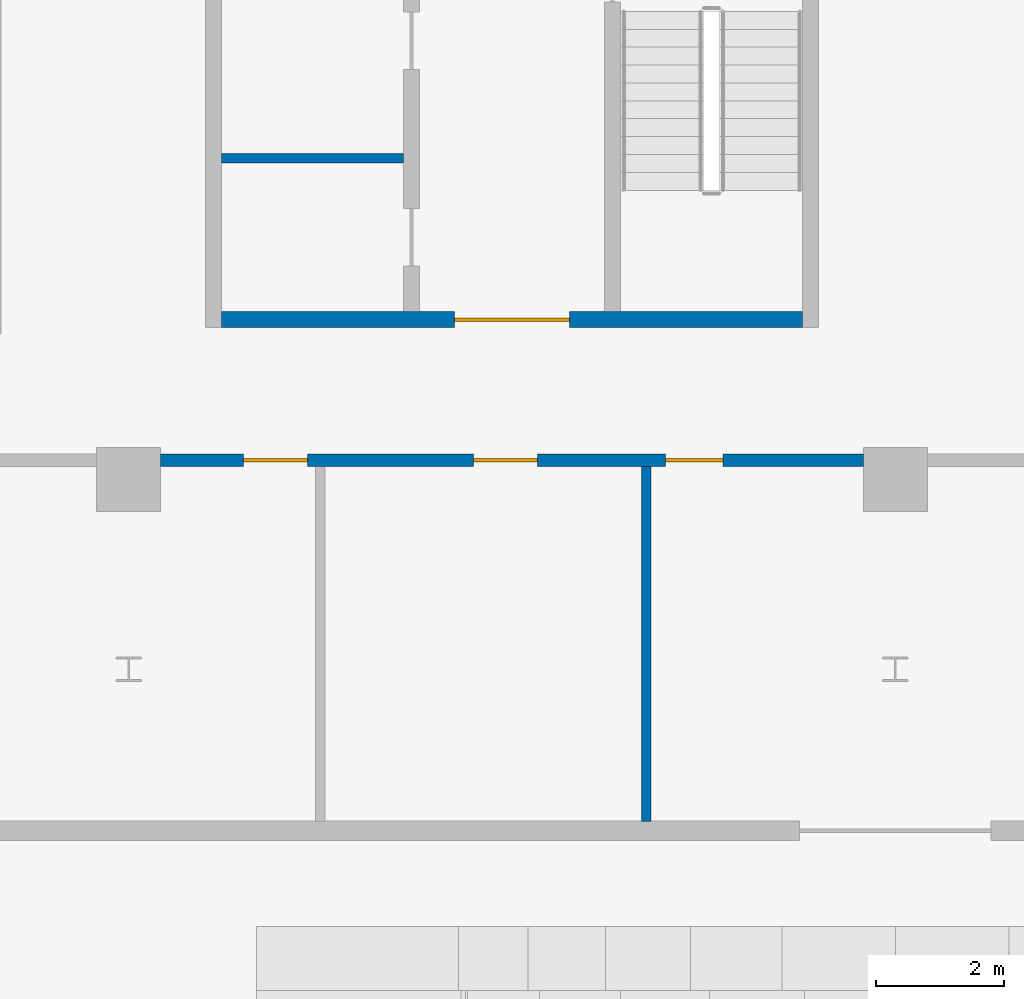
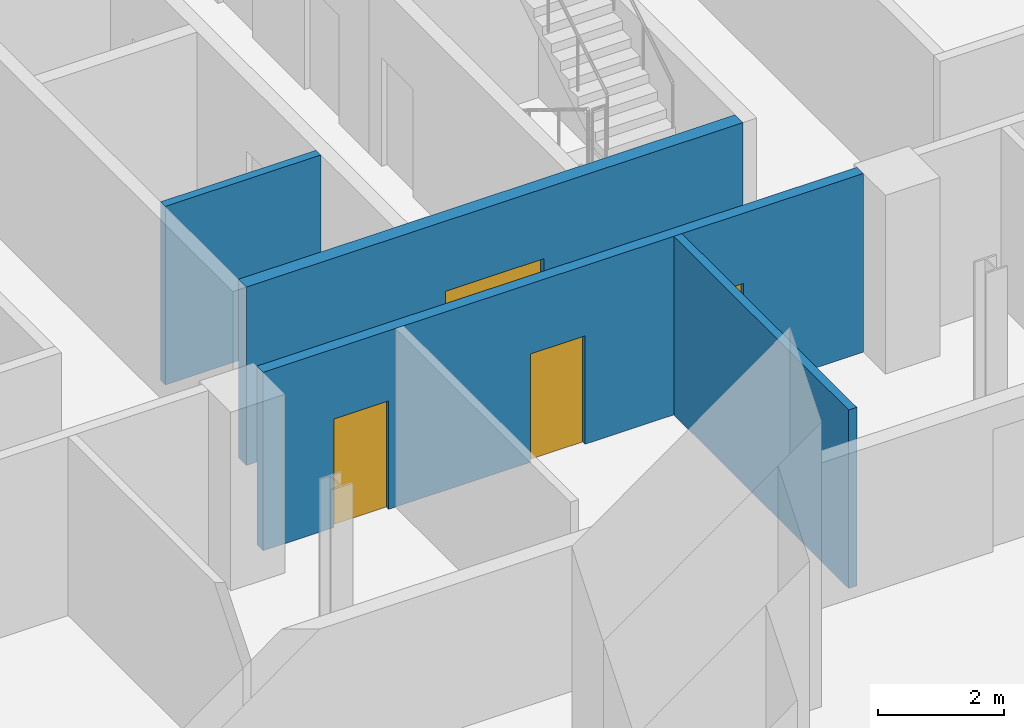
# One storey, part 10 of 30: 4 doors, 4 walls, 4 openings.
"""IFC4 building model written with IfcOpenShell, lengths in metres."""

import ifcopenshell
import ifcopenshell.guid

model = None  # the IFC model being written
_history = None  # IfcOwnerHistory: only IFC2X3 demands one
_inside = {}  # id of a spatial element -> (the spatial element, [elements in it])
_under = {}  # id of a project, library or spatial element -> (it, [spatial elements below it])
_declared = {}  # id of a project -> (the project, [libraries it declares])
_typed = {}  # id of a type object -> (the type object, [elements of that type])
_made_of = {}  # id of a material, layer set ... -> (it, [elements and type objects made of it])


def new_model(schema):
    """Start an empty IFC model of exactly this schema.

    Asked for "IFC4X3", IfcOpenShell would pick the latest addendum, in which some entities
    have other attributes; the version numbers below select the first issue.
    IFC2X3 requires an IfcOwnerHistory on every rooted entity: one is made here for all.
    """
    global model, _history
    if schema == "IFC4X3":
        model = ifcopenshell.file(schema_version=(4, 3, 0, 0))
    else:
        model = ifcopenshell.file(schema=schema)
    _inside.clear()
    _under.clear()
    _declared.clear()
    _typed.clear()
    _made_of.clear()
    _history = None
    if model.schema == "IFC2X3":
        org = make("IfcOrganization", Name="unknown")
        user = make(
            "IfcPersonAndOrganization",
            ThePerson=make("IfcPerson", FamilyName="unknown"),
            TheOrganization=org,
        )
        app = make(
            "IfcApplication",
            ApplicationDeveloper=org,
            Version="unknown",
            ApplicationFullName="unknown",
            ApplicationIdentifier="unknown",
        )
        _history = make(
            "IfcOwnerHistory",
            OwningUser=user,
            OwningApplication=app,
            ChangeAction="ADDED",
            CreationDate=0,
        )
    return model


def make(cls, **values):
    """One entity of the class cls with the attributes given. An attribute that is None is left unset."""
    return model.create_entity(
        cls, **{name: value for name, value in values.items() if value is not None}
    )


def rooted(cls, **values):
    """An entity with a GlobalId (a new one), such as an element, a storey or a relation."""
    return make(cls, GlobalId=ifcopenshell.guid.new(), OwnerHistory=_history, **values)


def si_unit(unit_type, name, prefix=None):
    """IfcSIUnit, for example si_unit("LENGTHUNIT", "METRE", prefix="MILLI")."""
    return make("IfcSIUnit", UnitType=unit_type, Prefix=prefix, Name=name)


def assignment(units):
    """IfcUnitAssignment: the units of a project."""
    return None if units is None else make("IfcUnitAssignment", Units=units)


def point(xyz):
    """IfcCartesianPoint."""
    return None if xyz is None else make("IfcCartesianPoint", Coordinates=xyz)


def direction(xyz):
    """IfcDirection."""
    return None if xyz is None else make("IfcDirection", DirectionRatios=xyz)


def frame(location, z_axis=None, x_axis=None):
    """IfcAxis2Placement3D, a coordinate frame: its origin and axes. An axis left out is left unset."""
    return make(
        "IfcAxis2Placement3D",
        Location=point(location),
        Axis=direction(z_axis),
        RefDirection=direction(x_axis),
    )


def frame_2d(location, x_axis=None):
    """IfcAxis2Placement2D, a coordinate frame in the plane: its origin and x axis."""
    return make(
        "IfcAxis2Placement2D", Location=point(location), RefDirection=direction(x_axis)
    )


def origin():
    """The frame at (0, 0, 0) with its axes left unset."""
    return frame((0.0, 0.0, 0.0))


def place(relative_to, where):
    """IfcLocalPlacement: puts the frame where relative to a parent placement (None: the world)."""
    return make(
        "IfcLocalPlacement", PlacementRelTo=relative_to, RelativePlacement=where
    )


def context(
    kind, dimensions, precision=None, world=None, true_north=None, identifier=None
):
    """IfcGeometricRepresentationContext, for example the 3D "Model" context."""
    return make(
        "IfcGeometricRepresentationContext",
        ContextIdentifier=identifier,
        ContextType=kind,
        CoordinateSpaceDimension=dimensions,
        Precision=precision,
        WorldCoordinateSystem=world,
        TrueNorth=true_north,
    )


def subcontext(parent, identifier, kind, view, scale=None):
    """IfcGeometricRepresentationSubContext, for example "Body" below "Model"."""
    return make(
        "IfcGeometricRepresentationSubContext",
        ContextIdentifier=identifier,
        ContextType=kind,
        ParentContext=parent,
        TargetScale=scale,
        TargetView=view,
    )


def project(units=None, contexts=None):
    """IfcProject with its units and contexts."""
    return rooted(
        "IfcProject",
        Name="project",
        RepresentationContexts=contexts,
        UnitsInContext=assignment(units),
    )


def spatial(cls, under=None, at=None, **own):
    """A site, building, storey or space (cls), placed at a placement, below another one or the project."""
    s = rooted(cls, ObjectPlacement=at, **own)
    if under is not None:
        _under.setdefault(under.id(), (under, []))[1].append(s)
    return s


def profile(cls, at=None, kind="AREA", **sizes):
    """A parametric profile (cls). Its sizes go by their IFC names, for example OverallWidth=200.0."""
    return make(cls, ProfileType=kind, Position=at, **sizes)


def rectangle(**sizes):
    """IfcRectangleProfileDef."""
    return profile("IfcRectangleProfileDef", **sizes)


def extrude(swept, where, along, depth):
    """IfcExtrudedAreaSolid: the profile swept, set in the frame where, extruded along a direction by depth."""
    return make(
        "IfcExtrudedAreaSolid",
        SweptArea=swept,
        Position=where,
        ExtrudedDirection=direction(along),
        Depth=depth,
    )


def shape(context_of_items, identifier, shape_type, items):
    """IfcShapeRepresentation: the items that make up one representation, for example the "Body"."""
    return make(
        "IfcShapeRepresentation",
        ContextOfItems=context_of_items,
        RepresentationIdentifier=identifier,
        RepresentationType=shape_type,
        Items=items,
    )


def material(Name=None, Category=None):
    """IfcMaterial."""
    return make("IfcMaterial", Name=Name, Category=Category)


def layer(
    of_material, thickness, ventilated=None, Name=None, Category=None, Priority=None
):
    """IfcMaterialLayer: one layer of a wall or slab, of a material (None: an air gap)."""
    return make(
        "IfcMaterialLayer",
        Material=of_material,
        LayerThickness=thickness,
        IsVentilated=ventilated,
        Name=Name,
        Category=Category,
        Priority=Priority,
    )


def layer_set(layers, Name=None):
    """IfcMaterialLayerSet."""
    return make("IfcMaterialLayerSet", MaterialLayers=layers, LayerSetName=Name)


def made_of(thing, what):
    """Note that an element or type object is made of a material, layer set ...; save() writes the relation."""
    if what is not None:
        _made_of.setdefault(what.id(), (what, []))[1].append(thing)
    return thing


def type_object(cls, material=None, **own):
    """A type object (cls), such as IfcWallType, which elements share."""
    return made_of(rooted(cls, **own), material)


def element(
    cls,
    number,
    at=None,
    inside=None,
    cuts=None,
    type_object=None,
    material=None,
    context=None,
    identifier="Body",
    shape_type=None,
    held_by="IfcProductDefinitionShape",
    body=None,
    shapes=None,
    **own,
):
    """One element of the class cls, such as IfcWall. Its Tag is "e" and its number.

    at: its placement. inside: the storey or other place that contains it. cuts: it is an
    opening in that element (IfcRelVoidsElement). A single representation is given by context,
    identifier, shape_type and body (its items); several are given by shapes. held_by: the class
    of the entity that holds the representations. save() writes the other relations.
    """
    e = rooted(cls, Tag="e%d" % number, ObjectPlacement=at, **own)
    if body is not None:
        shapes = [shape(context, identifier, shape_type, body)]
    if shapes is not None:
        e.Representation = make(held_by, Representations=shapes)
    if inside is not None:
        _inside.setdefault(inside.id(), (inside, []))[1].append(e)
    if cuts is not None:
        rooted(
            "IfcRelVoidsElement", RelatingBuildingElement=cuts, RelatedOpeningElement=e
        )
    if type_object is not None:
        _typed.setdefault(type_object.id(), (type_object, []))[1].append(e)
    return made_of(e, material)


def fill(opening, filler):
    """IfcRelFillsElement: the door or window that sits in an opening."""
    return rooted(
        "IfcRelFillsElement",
        RelatingOpeningElement=opening,
        RelatedBuildingElement=filler,
    )


def aggregate(whole, parts):
    """IfcRelAggregates: a whole, such as a stair, and the parts it consists of."""
    return rooted("IfcRelAggregates", RelatingObject=whole, RelatedObjects=parts)


def save(model, path):
    """Write the relations noted so far, then the file.

    IfcRelAggregates (storeys below a building ...), IfcRelContainedInSpatialStructure (elements
    in a storey), IfcRelDefinesByType, IfcRelAssociatesMaterial and IfcRelDeclares: one each for
    every whole, place, type object, material and project.
    """
    for whole, parts in _under.values():
        aggregate(whole, parts)
    for where, things in _inside.values():
        rooted(
            "IfcRelContainedInSpatialStructure",
            RelatedElements=things,
            RelatingStructure=where,
        )
    for kind, things in _typed.values():
        rooted("IfcRelDefinesByType", RelatedObjects=things, RelatingType=kind)
    for what, things in _made_of.values():
        rooted("IfcRelAssociatesMaterial", RelatedObjects=things, RelatingMaterial=what)
    for by, libraries in _declared.values():
        rooted("IfcRelDeclares", RelatingContext=by, RelatedDefinitions=libraries)
    model.write(path)


model = new_model("IFC4")

# Units and contexts
model_context = context("Model", 3, precision=1e-05, world=origin(), true_north=direction((0.0, 1.0)))
body_context = subcontext(model_context, "Body", "Model", "MODEL_VIEW")
ifc_project = project(units=[si_unit("LENGTHUNIT", "METRE"), si_unit("AREAUNIT", "SQUARE_METRE"), si_unit("VOLUMEUNIT", "CUBIC_METRE"), si_unit("PLANEANGLEUNIT", "RADIAN"), si_unit("MASSUNIT", "GRAM", prefix="KILO")], contexts=[model_context])

# Site, building, storey
site_placement = place(None, origin())
site = spatial("IfcSite", under=ifc_project, at=site_placement, CompositionType="ELEMENT")
building_placement = place(site_placement, origin())
building = spatial("IfcBuilding", under=site, at=building_placement, Name="Mahtab Terrace Research Tower", CompositionType="ELEMENT")
storey_placement = place(building_placement, frame((0.0, 0.0, 228.60009765625)))
storey = spatial("IfcBuildingStorey", under=building, at=storey_placement, Name="L55", CompositionType="ELEMENT", Elevation=228.60009765625)

# Wall
ifc_material_1 = material(Name="Gypsum board partition")
ifc_layer_1 = layer(ifc_material_1, 0.14990234375)
ifc_layer_set_1 = layer_set([ifc_layer_1], Name="Core partition 150")
wall_type_1 = type_object("IfcWallType", Name="Core partition 150", PredefinedType="PARTITIONING", material=ifc_layer_set_1)
wall_1_placement = place(storey_placement, frame((-4.550048828125, -6.47509765625, 0.0), z_axis=(0.0, 0.0, 1.0), x_axis=(1.0, 0.0, 0.0)))
element("IfcWall", 1, at=wall_1_placement, inside=storey, type_object=wall_type_1, Name="Core wall B pWS-948", PredefinedType="PARTITIONING", context=body_context, shape_type="SweptSolid", body=[
    extrude(rectangle(XDim=2.85009765625, YDim=0.14990234375, at=frame_2d((1.425048828125, 0.0))), origin(), (0.0, 0.0, 1.0), 3.4599609375),
])

# Wall, opening, door
ifc_material_2 = material(Name="Concrete C70/85", Category="concrete")
ifc_layer_2 = layer(ifc_material_2, 0.25)
ifc_layer_set_2 = layer_set([ifc_layer_2], Name="Core wall 250")
wall_type_2 = type_object("IfcWallType", Name="Core wall 250", PredefinedType="SOLIDWALL", material=ifc_layer_set_2)
wall_2_placement = place(storey_placement, frame((4.550048828125, -9.0, 0.0), z_axis=(0.0, 0.0, 1.0), x_axis=(-1.0, 0.0, 0.0)))
wall_2 = element("IfcWall", 2, at=wall_2_placement, inside=storey, type_object=wall_type_2, Name="Core wall B endS", PredefinedType="SOLIDWALL", context=body_context, shape_type="SweptSolid", body=[
    extrude(rectangle(XDim=9.10009765625, YDim=0.25, at=frame_2d((4.550048828125, 0.0))), origin(), (0.0, 0.0, 1.0), 3.4599609375),
])
opening_1_placement = place(wall_2_placement, frame((3.64990234375, 0.0, 0.0)))
opening_1 = element("IfcOpeningElement", 3, at=opening_1_placement, cuts=wall_2, Name="Opening B-S1", PredefinedType="OPENING", context=body_context, shape_type="SweptSolid", body=[
    extrude(rectangle(XDim=1.800048828125, YDim=2.10009765625, at=frame_2d((0.89990234375, 1.050048828125))), frame((0.0, 0.135009765625, 0.0), z_axis=(0.0, -1.0, 0.0), x_axis=(1.0, 0.0, 0.0)), (0.0, 0.0, 1.0), 0.27001953125),
])
ifc_material_3 = material(Name="Steel fire door", Category="steel")
door_type_1 = type_object("IfcDoorType", Name="Lobby double door 1800x2100 1 HR", OperationType="DOUBLE_DOOR_SINGLE_SWING", PredefinedType="DOOR", material=ifc_material_3)
door_1_placement = place(opening_1_placement, origin())
door_1 = element("IfcDoor", 4, at=door_1_placement, inside=storey, type_object=door_type_1, Name="Core entrance door B S", OperationType="DOUBLE_DOOR_SINGLE_SWING", OverallHeight=2.10009765625, OverallWidth=1.800048828125, PredefinedType="DOOR", context=body_context, shape_type="SweptSolid", body=[
    extrude(rectangle(XDim=1.800048828125, YDim=2.10009765625, at=frame_2d((0.89990234375, 1.050048828125))), frame((0.0, 0.02490234375, 0.0), z_axis=(0.0, -1.0, 0.0), x_axis=(1.0, 0.0, 0.0)), (0.0, 0.0, 1.0), 0.050048828125),
])
fill(opening_1, door_1)

# Wall, openings, doors
ifc_material_4 = material(Name="Gypsum board corridor wall on steel studs", Category="steel")
ifc_layer_3 = layer(ifc_material_4, 0.199951171875)
ifc_layer_set_3 = layer_set([ifc_layer_3], Name="WALL CORRIDOR 200")
wall_type_3 = type_object("IfcWallType", Name="WALL CORRIDOR 200", PredefinedType="PARTITIONING", material=ifc_layer_set_3)
wall_3_placement = place(storey_placement, frame((-5.5, -11.199951171875, 0.0), z_axis=(0.0, 0.0, 1.0), x_axis=(1.0, 0.0, 0.0)))
wall_3 = element("IfcWall", 5, at=wall_3_placement, inside=storey, type_object=wall_type_3, Name="L55-W005", PredefinedType="PARTITIONING", context=body_context, shape_type="SweptSolid", body=[
    extrude(rectangle(XDim=11.0, YDim=0.199951171875, at=frame_2d((5.5, 0.0))), origin(), (0.0, 0.0, 1.0), 3.4599609375),
])
opening_2_placement = place(wall_3_placement, frame((1.300048828125, 0.0, 0.0)))
opening_2 = element("IfcOpeningElement", 6, at=opening_2_placement, cuts=wall_3, Name="Opening L55-106", PredefinedType="OPENING", context=body_context, shape_type="SweptSolid", body=[
    extrude(rectangle(XDim=1.0, YDim=2.10009765625, at=frame_2d((0.5, 1.050048828125))), frame((0.0, 0.10986328125, 0.0), z_axis=(0.0, -1.0, 0.0), x_axis=(1.0, 0.0, 0.0)), (0.0, 0.0, 1.0), 0.219970703125),
])
opening_3_placement = place(wall_3_placement, frame((4.89990234375, 0.0, 0.0)))
opening_3 = element("IfcOpeningElement", 7, at=opening_3_placement, cuts=wall_3, Name="Opening L55-107", PredefinedType="OPENING", context=body_context, shape_type="SweptSolid", body=[
    extrude(rectangle(XDim=1.0, YDim=2.10009765625, at=frame_2d((0.5, 1.050048828125))), frame((0.0, 0.10986328125, 0.0), z_axis=(0.0, -1.0, 0.0), x_axis=(1.0, 0.0, 0.0)), (0.0, 0.0, 1.0), 0.219970703125),
])
opening_4_placement = place(wall_3_placement, frame((7.89990234375, 0.0, 0.0)))
opening_4 = element("IfcOpeningElement", 8, at=opening_4_placement, cuts=wall_3, Name="Opening L55-108", PredefinedType="OPENING", context=body_context, shape_type="SweptSolid", body=[
    extrude(rectangle(XDim=0.89990234375, YDim=2.10009765625, at=frame_2d((0.449951171875, 1.050048828125))), frame((0.0, 0.10986328125, 0.0), z_axis=(0.0, -1.0, 0.0), x_axis=(1.0, 0.0, 0.0)), (0.0, 0.0, 1.0), 0.219970703125),
])
ifc_material_5 = material(Name="Timber door leaf in steel frame", Category="steel")
door_type_2 = type_object("IfcDoorType", Name="DOOR 0900X2100 FD30S", OperationType="SINGLE_SWING_LEFT", PredefinedType="DOOR", material=ifc_material_5)
door_2_placement = place(opening_4_placement, origin())
door_2 = element("IfcDoor", 9, at=door_2_placement, inside=storey, type_object=door_type_2, Name="Door L55-108", OperationType="SINGLE_SWING_LEFT", OverallHeight=2.10009765625, OverallWidth=0.89990234375, PredefinedType="DOOR", context=body_context, shape_type="SweptSolid", body=[
    extrude(rectangle(XDim=0.89990234375, YDim=2.10009765625, at=frame_2d((0.449951171875, 1.050048828125))), frame((0.0, 0.02490234375, 0.0), z_axis=(0.0, -1.0, 0.0), x_axis=(1.0, 0.0, 0.0)), (0.0, 0.0, 1.0), 0.050048828125),
])
fill(opening_4, door_2)
door_type_3 = type_object("IfcDoorType", Name="DOOR 1000X2100 FD30S", OperationType="SINGLE_SWING_LEFT", PredefinedType="DOOR", material=ifc_material_5)
door_3_placement = place(opening_2_placement, origin())
door_3 = element("IfcDoor", 10, at=door_3_placement, inside=storey, type_object=door_type_3, Name="Door L55-106", OperationType="SINGLE_SWING_RIGHT", OverallHeight=2.10009765625, OverallWidth=1.0, PredefinedType="DOOR", context=body_context, shape_type="SweptSolid", body=[
    extrude(rectangle(XDim=1.0, YDim=2.10009765625, at=frame_2d((0.5, 1.050048828125))), frame((0.0, 0.02490234375, 0.0), z_axis=(0.0, -1.0, 0.0), x_axis=(1.0, 0.0, 0.0)), (0.0, 0.0, 1.0), 0.050048828125),
])
fill(opening_2, door_3)
door_4_placement = place(opening_3_placement, origin())
door_4 = element("IfcDoor", 11, at=door_4_placement, inside=storey, type_object=door_type_3, Name="Door L55-107", OperationType="SINGLE_SWING_RIGHT", OverallHeight=2.10009765625, OverallWidth=1.0, PredefinedType="DOOR", context=body_context, shape_type="SweptSolid", body=[
    extrude(rectangle(XDim=1.0, YDim=2.10009765625, at=frame_2d((0.5, 1.050048828125))), frame((0.0, 0.02490234375, 0.0), z_axis=(0.0, -1.0, 0.0), x_axis=(1.0, 0.0, 0.0)), (0.0, 0.0, 1.0), 0.050048828125),
])
fill(opening_3, door_4)

# Wall
ifc_material_6 = material(Name="Gypsum board partition on steel studs", Category="steel")
ifc_layer_4 = layer(ifc_material_6, 0.14990234375)
ifc_layer_set_4 = layer_set([ifc_layer_4], Name="WALL PARTITION 150")
wall_type_4 = type_object("IfcWallType", Name="WALL PARTITION 150", PredefinedType="PARTITIONING", material=ifc_layer_set_4)
wall_4_placement = place(storey_placement, frame((2.10009765625, -16.85009765625, 0.0), z_axis=(0.0, 0.0, 1.0), x_axis=(0.0, 1.0, 0.0)))
element("IfcWall", 12, at=wall_4_placement, inside=storey, type_object=wall_type_4, Name="L55-W041", PredefinedType="PARTITIONING", context=body_context, shape_type="SweptSolid", body=[
    extrude(rectangle(XDim=5.550048828125, YDim=0.14990234375, at=frame_2d((2.77490234375, 0.0))), origin(), (0.0, 0.0, 1.0), 3.4599609375),
])

save(model, "model.ifc")
